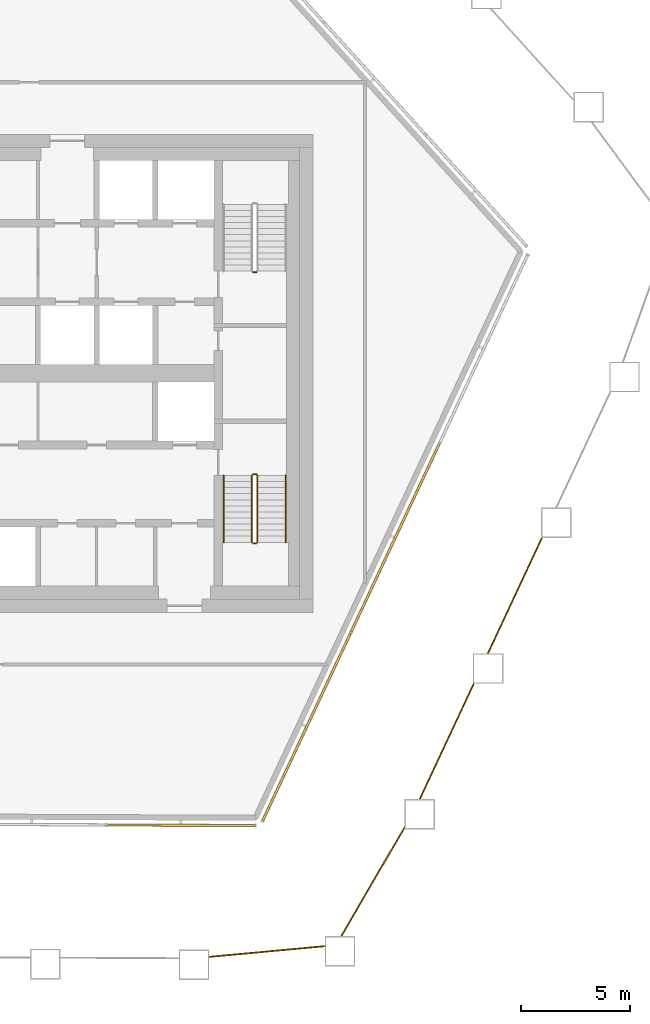
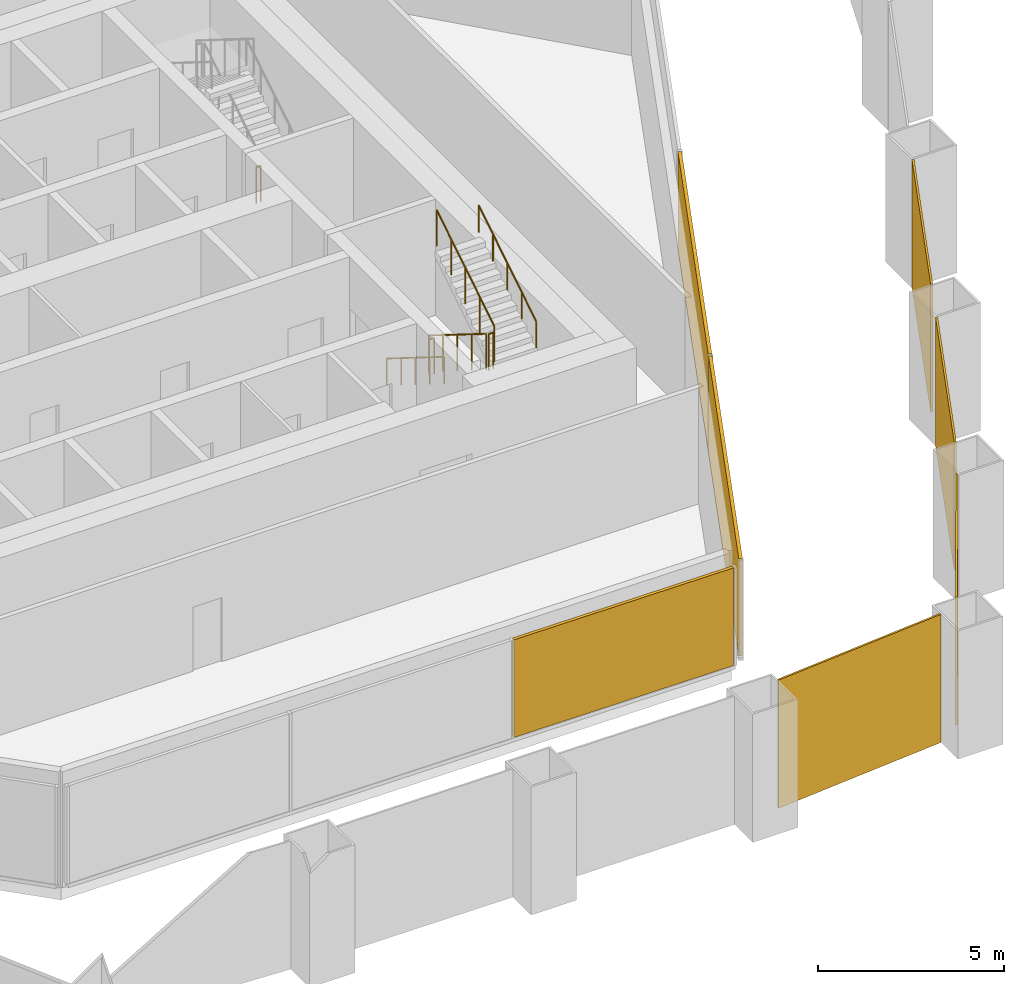
# One storey, part 14 of 18: 7 coverings, 7 railings, 2 elements without a shape of their own.
"""IFC4 building model written with IfcOpenShell, lengths in metres."""

from ifc_helpers import new_model, si_unit, direction, frame, origin, origin_2d, place, context, subcontext, project, spatial, polyline, rectangle, circle, outline, extrude, material, layer, layer_set, type_object, element, aggregate, save


model = new_model("IFC4")

# Units and contexts
model_context = context("Model", 3, precision=1e-05, world=origin(), true_north=direction((0.0, 1.0)))
body_context = subcontext(model_context, "Body", "Model", "MODEL_VIEW")
ifc_project = project(units=[si_unit("LENGTHUNIT", "METRE"), si_unit("AREAUNIT", "SQUARE_METRE"), si_unit("VOLUMEUNIT", "CUBIC_METRE"), si_unit("PLANEANGLEUNIT", "RADIAN"), si_unit("MASSUNIT", "GRAM", prefix="KILO")], contexts=[model_context])

# Site, building, storey
site_placement = place(None, origin())
site = spatial("IfcSite", under=ifc_project, at=site_placement, CompositionType="ELEMENT")
building_placement = place(site_placement, origin())
building = spatial("IfcBuilding", under=site, at=building_placement, Name="Dongbaek Canopy Tower", CompositionType="ELEMENT")
storey_placement = place(building_placement, frame((0.0, 0.0, 359.0)))
storey = spatial("IfcBuildingStorey", under=building, at=storey_placement, Name="L77", CompositionType="ELEMENT", Elevation=359.0)

# Coverings
ifc_material_1 = material(Name="Perforated pale metal")
ifc_layer_1 = layer(ifc_material_1, 0.06005859375)
ifc_layer_set_1 = layer_set([ifc_layer_1], Name="Crown plant screen")
covering_type_1 = type_object("IfcCoveringType", Name="Crown plant screen", PredefinedType="CLADDING", material=ifc_layer_set_1)
covering_1_placement = place(storey_placement, origin())
element("IfcCovering", 1, at=covering_1_placement, inside=storey, type_object=covering_type_1, Name="Crown plant screen 8 L77", PredefinedType="CLADDING", context=body_context, shape_type="SweptSolid", body=[
    extrude(outline(polyline([(9.23388671875, -26.891357421875), (9.23388671875, -26.8310546875), (14.552001953125, -26.340087890625), (14.552001953125, -26.400390625), (9.23388671875, -26.891357421875)])), origin(), (0.0, 0.0, 1.0), 4.199951171875),
])
covering_2_placement = place(storey_placement, origin())
element("IfcCovering", 2, at=covering_2_placement, inside=storey, type_object=covering_type_1, Name="Crown plant screen 9 L77", PredefinedType="CLADDING", context=body_context, shape_type="SweptSolid", body=[
    extrude(outline(polyline([(15.346923828125, -25.906982421875), (15.277587890625, -25.906982421875), (18.22509765625, -20.8427734375), (18.22509765625, -20.9619140625), (15.346923828125, -25.906982421875)])), origin(), (0.0, 0.0, 1.0), 4.199951171875),
])
covering_3_placement = place(storey_placement, origin())
element("IfcCovering", 3, at=covering_3_placement, inside=storey, type_object=covering_type_1, Name="Crown plant screen 10 L77", PredefinedType="CLADDING", context=body_context, shape_type="SweptSolid", body=[
    extrude(outline(polyline([(18.954833984375, -19.595947265625), (18.888671875, -19.595947265625), (21.37548828125, -14.2880859375), (21.44189453125, -14.2880859375), (18.954833984375, -19.595947265625)])), origin(), (0.0, 0.0, 1.0), 4.199951171875),
])
covering_4_placement = place(storey_placement, origin())
element("IfcCovering", 4, at=covering_4_placement, inside=storey, type_object=covering_type_1, Name="Crown plant screen 11 L77", PredefinedType="CLADDING", context=body_context, shape_type="SweptSolid", body=[
    extrude(outline(polyline([(22.09765625, -12.887939453125), (22.031494140625, -12.887939453125), (24.517822265625, -7.5791015625), (24.583984375, -7.5791015625), (22.09765625, -12.887939453125)])), origin(), (0.0, 0.0, 1.0), 4.199951171875),
])

# Curtain wall, covering
ifc_material_2 = material(Name="Aluminium 6063-T6 pale anodised", Category="aluminium")
ifc_layer_2 = layer(ifc_material_2, 0.14990234375)
ifc_layer_set_2 = layer_set([ifc_layer_2], Name="CW-7 louvre curtain wall")
curtain_wall_type = type_object("IfcCurtainWallType", Name="CW-7 louvre curtain wall", PredefinedType="NOTDEFINED", material=ifc_layer_set_2)
curtain_wall_1_placement = place(storey_placement, origin())
curtain_wall_1 = element("IfcCurtainWall", 5, at=curtain_wall_1_placement, inside=storey, type_object=curtain_wall_type, Name="CW-7 louvre wall L77 F0", PredefinedType="NOTDEFINED")
ifc_material_3 = material(Name="Aluminium 6063-T6 pale metal louvre blades", Category="aluminium")
ifc_layer_3 = layer(ifc_material_3, 0.10009765625)
ifc_layer_set_3 = layer_set([ifc_layer_3], Name="Louvre LV bank 100 x 3200")
covering_type_2 = type_object("IfcCoveringType", Name="Louvre LV bank 100 x 3200", PredefinedType="CLADDING", material=ifc_layer_set_3)
covering_5_placement = place(storey_placement, frame((7.927001953125, -20.803466796875, 0.2998046875), z_axis=(0.0, 0.0, 1.0), x_axis=(0.999990026762, -0.004466136555, 0.0)))
covering_5 = element("IfcCovering", 6, at=covering_5_placement, type_object=covering_type_2, Name="Louvre L77 F0.1.3", PredefinedType="CLADDING", context=body_context, shape_type="SweptSolid", body=[
    extrude(rectangle(XDim=6.787841796875, YDim=0.10009765625, at=origin_2d()), origin(), (0.0, 0.0, 1.0), 3.199951171875),
])
aggregate(curtain_wall_1, [covering_5])

# Curtain wall, coverings
curtain_wall_2_placement = place(storey_placement, origin())
curtain_wall_2 = element("IfcCurtainWall", 7, at=curtain_wall_2_placement, inside=storey, type_object=curtain_wall_type, Name="CW-7 louvre wall L77 F1", PredefinedType="NOTDEFINED")
covering_6_placement = place(storey_placement, frame((13.72021484375, -16.27001953125, 0.2998046875), z_axis=(0.0, 0.0, 1.0), x_axis=(0.42412286138, 0.905604659029, 0.0)))
covering_6 = element("IfcCovering", 8, at=covering_6_placement, type_object=covering_type_2, Name="Louvre L77 F1.1.1", PredefinedType="CLADDING", context=body_context, shape_type="SweptSolid", body=[
    extrude(rectangle(XDim=9.510498046875, YDim=0.10009765625, at=origin_2d()), origin(), (0.0, 0.0, 1.0), 3.199951171875),
])
covering_7_placement = place(storey_placement, frame((17.7919921875, -7.575927734375, 0.2998046875), z_axis=(0.0, 0.0, 1.0), x_axis=(0.42412286138, 0.905604659029, 0.0)))
covering_7 = element("IfcCovering", 9, at=covering_7_placement, type_object=covering_type_2, Name="Louvre L77 F1.1.2", PredefinedType="CLADDING", context=body_context, shape_type="SweptSolid", body=[
    extrude(rectangle(XDim=9.510498046875, YDim=0.10009765625, at=origin_2d()), origin(), (0.0, 0.0, 1.0), 3.199951171875),
])
aggregate(curtain_wall_2, [covering_6, covering_7])

# Railings
ifc_material_4 = material(Name="Stainless steel tube and balusters", Category="steel")
railing_type_1 = type_object("IfcRailingType", Name="Stair guard 1200", PredefinedType="GUARDRAIL", material=ifc_material_4)
railing_1_placement = place(storey_placement, frame((11.39990234375, 4.64990234375, 0.0)))
element("IfcRailing", 10, at=railing_1_placement, inside=storey, type_object=railing_type_1, Name="L77 ST-A stair guard 4", PredefinedType="GUARDRAIL", context=body_context, shape_type="SweptSolid", body=[
    extrude(circle(Radius=0.02392578125, at=origin_2d()), frame((0.0, 0.0, 1.17578125), z_axis=(-1.0, 0.0, 0.0), x_axis=(0.0, -1.0, 0.0)), (0.0, 0.0, 1.0), 0.14990234375),
    extrude(circle(Radius=0.02099609375, at=origin_2d()), origin(), (0.0, 0.0, 1.0), 1.15185546875),
    extrude(circle(Radius=0.02099609375, at=origin_2d()), frame((-0.14990234375, 0.0, 0.0)), (0.0, 0.0, 1.0), 1.15185546875),
])
railing_2_placement = place(storey_placement, frame((11.199951171875, -4.699951171875, 0.175048828125)))
element("IfcRailing", 11, at=railing_2_placement, inside=storey, type_object=railing_type_1, Name="L77 ST-B stair guard 1", PredefinedType="GUARDRAIL", context=body_context, shape_type="SweptSolid", body=[
    extrude(circle(Radius=0.02392578125, at=origin_2d()), frame((0.0, 0.0, 1.17578125), z_axis=(0.0, -0.847998304005, 0.529998940003), x_axis=(1.0, 0.0, 0.0)), (0.0, 0.0, 1.0), 3.632080078125),
    extrude(circle(Radius=0.02099609375, at=origin_2d()), origin(), (0.0, 0.0, 1.0), 1.15185546875),
    extrude(circle(Radius=0.02099609375, at=origin_2d()), frame((0.0, -0.77001953125, 0.481201171875)), (0.0, 0.0, 1.0), 1.15185546875),
    extrude(circle(Radius=0.02099609375, at=origin_2d()), frame((0.0, -1.5400390625, 0.96240234375)), (0.0, 0.0, 1.0), 1.15185546875),
    extrude(circle(Radius=0.02099609375, at=origin_2d()), frame((0.0, -2.31005859375, 1.44384765625)), (0.0, 0.0, 1.0), 1.15185546875),
    extrude(circle(Radius=0.02099609375, at=origin_2d()), frame((0.0, -3.080078125, 1.925048828125)), (0.0, 0.0, 1.0), 1.15185546875),
])
railing_3_placement = place(storey_placement, frame((11.25, -7.830078125, 2.10009765625)))
element("IfcRailing", 12, at=railing_3_placement, inside=storey, type_object=railing_type_1, Name="L77 ST-B stair guard 2", PredefinedType="GUARDRAIL", context=body_context, shape_type="SweptSolid", body=[
    extrude(circle(Radius=0.02392578125, at=origin_2d()), frame((0.0, 0.0, 1.17578125), z_axis=(1.0, 0.0, 0.0), x_axis=(0.0, 1.0, 0.0)), (0.0, 0.0, 1.0), 0.14990234375),
    extrude(circle(Radius=0.02099609375, at=origin_2d()), origin(), (0.0, 0.0, 1.0), 1.15185546875),
    extrude(circle(Radius=0.02099609375, at=origin_2d()), frame((0.14990234375, 0.0, 0.0)), (0.0, 0.0, 1.0), 1.15185546875),
])
railing_4_placement = place(storey_placement, frame((11.449951171875, -7.780029296875, 2.27490234375)))
element("IfcRailing", 13, at=railing_4_placement, inside=storey, type_object=railing_type_1, Name="L77 ST-B stair guard 3", PredefinedType="GUARDRAIL", context=body_context, shape_type="SweptSolid", body=[
    extrude(circle(Radius=0.02392578125, at=origin_2d()), frame((0.0, 0.0, 1.17578125), z_axis=(0.0, 0.847998304005, 0.529998940003), x_axis=(-1.0, 0.0, 0.0)), (0.0, 0.0, 1.0), 3.632080078125),
    extrude(circle(Radius=0.02099609375, at=origin_2d()), origin(), (0.0, 0.0, 1.0), 1.15185546875),
    extrude(circle(Radius=0.02099609375, at=origin_2d()), frame((0.0, 0.77001953125, 0.481201171875)), (0.0, 0.0, 1.0), 1.15185546875),
    extrude(circle(Radius=0.02099609375, at=origin_2d()), frame((0.0, 1.5400390625, 0.96240234375)), (0.0, 0.0, 1.0), 1.15185546875),
    extrude(circle(Radius=0.02099609375, at=origin_2d()), frame((0.0, 2.31005859375, 1.44384765625)), (0.0, 0.0, 1.0), 1.15185546875),
    extrude(circle(Radius=0.02099609375, at=origin_2d()), frame((0.0, 3.080078125, 1.925048828125)), (0.0, 0.0, 1.0), 1.15185546875),
])
railing_5_placement = place(storey_placement, frame((11.25, -4.64990234375, 0.0)))
element("IfcRailing", 14, at=railing_5_placement, inside=storey, type_object=railing_type_1, Name="L77 ST-B stair guard 4", PredefinedType="GUARDRAIL", context=body_context, shape_type="SweptSolid", body=[
    extrude(circle(Radius=0.02392578125, at=origin_2d()), frame((0.0, 0.0, 1.17578125), z_axis=(1.0, 0.0, 0.0), x_axis=(0.0, 1.0, 0.0)), (0.0, 0.0, 1.0), 0.14990234375),
    extrude(circle(Radius=0.02099609375, at=origin_2d()), origin(), (0.0, 0.0, 1.0), 1.15185546875),
    extrude(circle(Radius=0.02099609375, at=origin_2d()), frame((0.14990234375, 0.0, 0.0)), (0.0, 0.0, 1.0), 1.15185546875),
])
ifc_material_5 = material(Name="Stainless steel tube", Category="steel")
railing_type_2 = type_object("IfcRailingType", Name="Stair handrail 900", PredefinedType="HANDRAIL", material=ifc_material_5)
railing_6_placement = place(storey_placement, frame((9.89990234375, -4.699951171875, 0.175048828125)))
element("IfcRailing", 15, at=railing_6_placement, inside=storey, type_object=railing_type_2, Name="L77 ST-B stair handrail 1", PredefinedType="HANDRAIL", context=body_context, shape_type="SweptSolid", body=[
    extrude(circle(Radius=0.02392578125, at=origin_2d()), frame((0.0, 0.0, 0.8759765625), z_axis=(0.0, -0.847998304005, 0.529998940003), x_axis=(1.0, 0.0, 0.0)), (0.0, 0.0, 1.0), 3.632080078125),
    extrude(circle(Radius=0.02099609375, at=origin_2d()), origin(), (0.0, 0.0, 1.0), 0.851806640625),
    extrude(circle(Radius=0.02099609375, at=origin_2d()), frame((0.0, -0.77001953125, 0.481201171875)), (0.0, 0.0, 1.0), 0.851806640625),
    extrude(circle(Radius=0.02099609375, at=origin_2d()), frame((0.0, -1.5400390625, 0.96240234375)), (0.0, 0.0, 1.0), 0.851806640625),
    extrude(circle(Radius=0.02099609375, at=origin_2d()), frame((0.0, -2.31005859375, 1.44384765625)), (0.0, 0.0, 1.0), 0.851806640625),
    extrude(circle(Radius=0.02099609375, at=origin_2d()), frame((0.0, -3.080078125, 1.925048828125)), (0.0, 0.0, 1.0), 0.851806640625),
])
railing_7_placement = place(storey_placement, frame((12.75, -7.780029296875, 2.27490234375)))
element("IfcRailing", 16, at=railing_7_placement, inside=storey, type_object=railing_type_2, Name="L77 ST-B stair handrail 2", PredefinedType="HANDRAIL", context=body_context, shape_type="SweptSolid", body=[
    extrude(circle(Radius=0.02392578125, at=origin_2d()), frame((0.0, 0.0, 0.8759765625), z_axis=(0.0, 0.847998304005, 0.529998940003), x_axis=(-1.0, 0.0, 0.0)), (0.0, 0.0, 1.0), 3.632080078125),
    extrude(circle(Radius=0.02099609375, at=origin_2d()), origin(), (0.0, 0.0, 1.0), 0.851806640625),
    extrude(circle(Radius=0.02099609375, at=origin_2d()), frame((0.0, 0.77001953125, 0.481201171875)), (0.0, 0.0, 1.0), 0.851806640625),
    extrude(circle(Radius=0.02099609375, at=origin_2d()), frame((0.0, 1.5400390625, 0.96240234375)), (0.0, 0.0, 1.0), 0.851806640625),
    extrude(circle(Radius=0.02099609375, at=origin_2d()), frame((0.0, 2.31005859375, 1.44384765625)), (0.0, 0.0, 1.0), 0.851806640625),
    extrude(circle(Radius=0.02099609375, at=origin_2d()), frame((0.0, 3.080078125, 1.925048828125)), (0.0, 0.0, 1.0), 0.851806640625),
])

save(model, "model.ifc")
